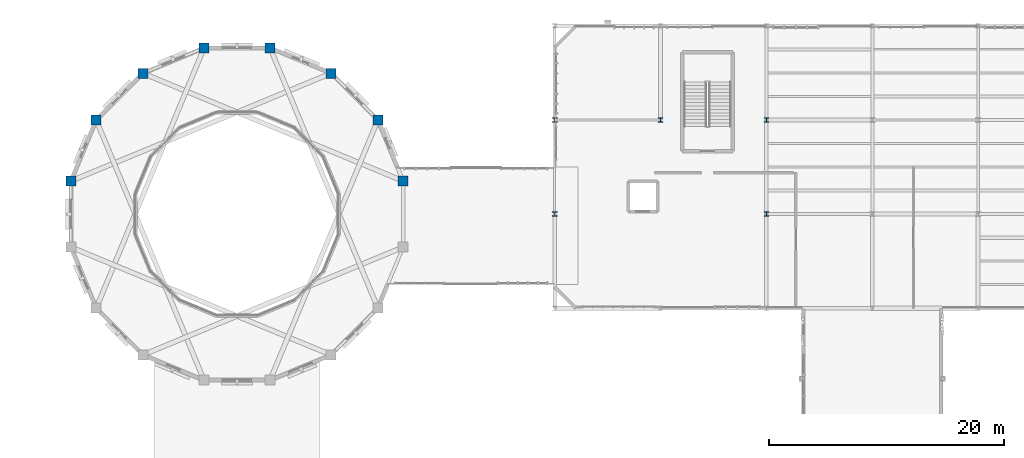
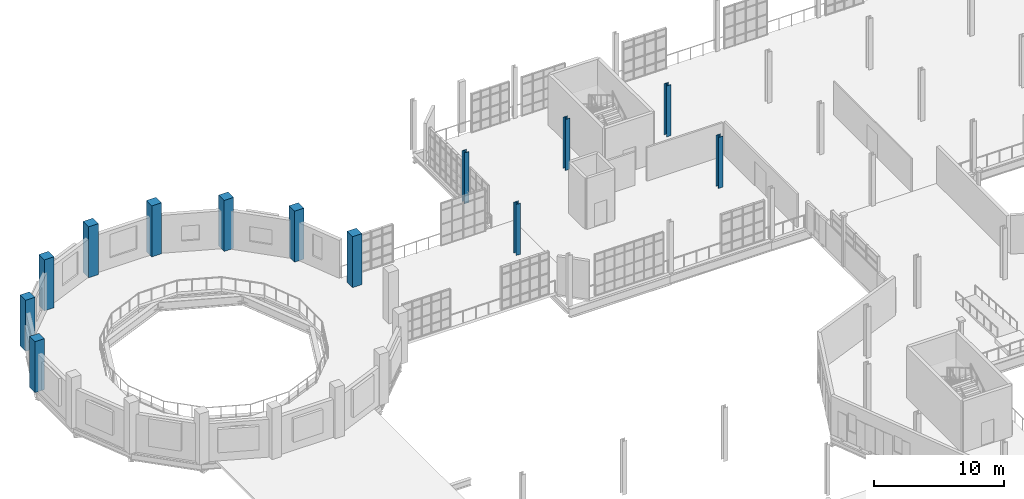
# One storey, part 9 of 122: 13 columns.
"""IFC4 building model written with IfcOpenShell, lengths in metres."""

from ifc_helpers import new_model, si_unit, direction, frame, origin, origin_2d, place, context, subcontext, project, spatial, rectangle, i_section, extrude, material, material_profile, profile_set, type_object, element, save


model = new_model("IFC4")

# Units and contexts
model_context = context("Model", 3, precision=1e-05, world=origin(), true_north=direction((0.0, 1.0)))
body_context = subcontext(model_context, "Body", "Model", "MODEL_VIEW")
ifc_project = project(units=[si_unit("LENGTHUNIT", "METRE"), si_unit("AREAUNIT", "SQUARE_METRE"), si_unit("VOLUMEUNIT", "CUBIC_METRE"), si_unit("PLANEANGLEUNIT", "RADIAN"), si_unit("MASSUNIT", "GRAM", prefix="KILO"), si_unit("THERMODYNAMICTEMPERATUREUNIT", "KELVIN"), si_unit("POWERUNIT", "WATT")], contexts=[model_context])

# Site, building, storey
site_placement = place(None, origin())
site = spatial("IfcSite", under=ifc_project, at=site_placement, CompositionType="ELEMENT")
building_placement = place(site_placement, origin())
building = spatial("IfcBuilding", under=site, at=building_placement, Name="Zelmaris Science Centre", CompositionType="ELEMENT")
storey_placement = place(building_placement, frame((0.0, 0.0, 10.800048828125)))
storey = spatial("IfcBuildingStorey", under=building, at=storey_placement, Name="L02", CompositionType="ELEMENT", Elevation=10.800048828125)

# Columns
ifc_material_1 = material(Name="Steel ASTM A992 Grade 50", Category="steel")
ifc_material_profile_1 = material_profile(ifc_material_1, i_section(OverallWidth=0.39892578125, OverallDepth=0.385986328125, WebThickness=0.02099609375, FlangeThickness=0.033203125, FilletRadius=0.014892578125, at=origin_2d()), Name="W14X176")
ifc_profile_set_1 = profile_set([ifc_material_profile_1], Name="Steel ASTM A992 Grade 50")
column_type_1 = type_object("IfcColumnType", Name="Column C-04 W14X176", PredefinedType="COLUMN", material=ifc_profile_set_1)
for number, where, z_axis, x_axis, name in (
    (1, (54.0, 72.0, 0.0), (0.0, 0.0, 1.0), (1.0, 0.0, 0.0), "Column V5-C-54-72 L02"),
    (2, (54.0, 80.0, 0.0), (0.0, 0.0, 1.0), (1.0, 0.0, 0.0), "Column V5-C-54-80 L02"),
    (3, (63.0, 80.0, 0.0), (0.0, 0.0, 1.0), (1.0, 0.0, 0.0), "Column V5-C-63-80 L02"),
    (4, (72.0, 72.0, 0.0), (0.0, 0.0, 1.0), (1.0, 0.0, 0.0), "Column V5-C-72-72 L02"),
    (5, (72.0, 80.0, 0.0), (0.0, 0.0, 1.0), (1.0, 0.0, 0.0), "Column V5-C-72-80 L02"),
):
    element("IfcColumn", number, at=place(storey_placement, frame(where, z_axis=z_axis, x_axis=x_axis)), inside=storey, type_object=column_type_1, Name=name, PredefinedType="COLUMN", context=body_context, shape_type="SweptSolid", body=[
        extrude(i_section(OverallWidth=0.39892578125, OverallDepth=0.385986328125, WebThickness=0.02099609375, FlangeThickness=0.033203125, FilletRadius=0.014892578125, at=origin_2d()), origin(), (0.0, 0.0, 1.0), 4.800048828125),
    ])
ifc_material_2 = material(Name="Concrete C40/50", Category="concrete")
ifc_material_profile_2 = material_profile(ifc_material_2, rectangle(XDim=0.85009765625, YDim=0.85009765625, at=origin_2d()), Name="RC-COL-850X850")
ifc_profile_set_2 = profile_set([ifc_material_profile_2], Name="Concrete C40/50")
column_type_2 = type_object("IfcColumnType", Name="Column C-14 RC-COL-850X850", PredefinedType="COLUMN", material=ifc_profile_set_2)
for number, where, z_axis, x_axis, name in (
    (6, (41.123291015625, 74.809326171875, 0.0), (0.0, 0.0, 1.0), (1.0, 0.0, 0.0), "Column V1-DC01 L02"),
    (7, (38.97314453125, 80.000244140625, 0.0), (0.0, 0.0, 1.0), (1.0, 0.0, 0.0), "Column V1-DC02 L02"),
    (8, (35.000244140625, 83.97314453125, 0.0), (0.0, 0.0, 1.0), (1.0, 0.0, 0.0), "Column V1-DC03 L02"),
    (9, (29.809326171875, 86.123291015625, 0.0), (0.0, 0.0, 1.0), (1.0, 0.0, 0.0), "Column V1-DC04 L02"),
    (10, (24.190673828125, 86.123291015625, 0.0), (0.0, 0.0, 1.0), (1.0, 0.0, 0.0), "Column V1-DC05 L02"),
    (11, (18.999755859375, 83.97314453125, 0.0), (0.0, 0.0, 1.0), (1.0, 0.0, 0.0), "Column V1-DC06 L02"),
    (12, (15.02685546875, 80.000244140625, 0.0), (0.0, 0.0, 1.0), (1.0, 0.0, 0.0), "Column V1-DC07 L02"),
    (13, (12.876708984375, 74.809326171875, 0.0), (0.0, 0.0, 1.0), (1.0, 0.0, 0.0), "Column V1-DC08 L02"),
):
    element("IfcColumn", number, at=place(storey_placement, frame(where, z_axis=z_axis, x_axis=x_axis)), inside=storey, type_object=column_type_2, Name=name, PredefinedType="COLUMN", context=body_context, shape_type="SweptSolid", body=[
        extrude(rectangle(XDim=0.85009765625, YDim=0.85009765625, at=origin_2d()), origin(), (0.0, 0.0, 1.0), 4.800048828125),
    ])

save(model, "model.ifc")
